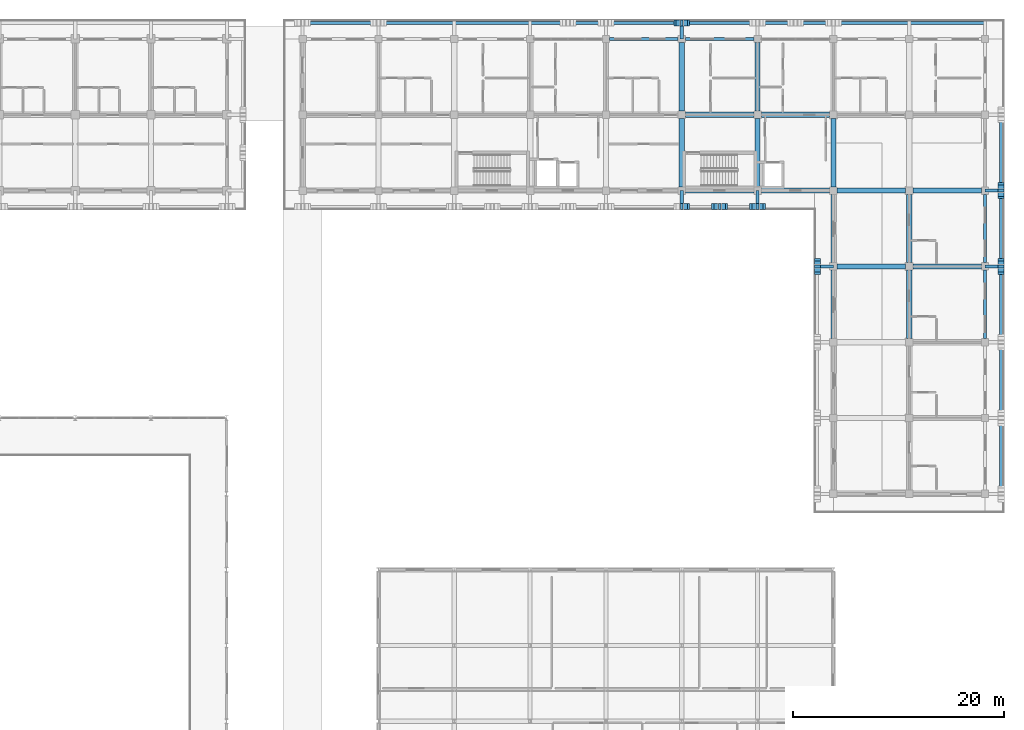
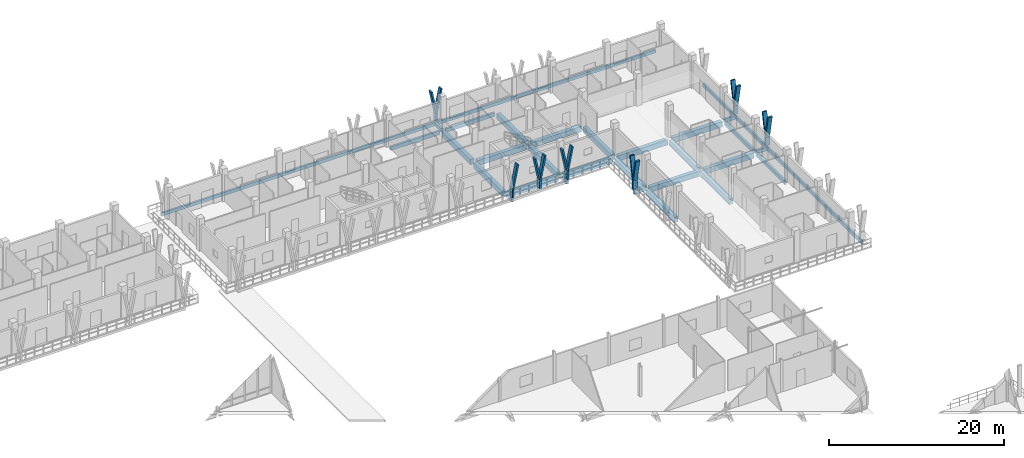
# One storey, part 53 of 110: 29 beams, 20 members.
"""IFC4 building model written with IfcOpenShell, lengths in metres."""

from ifc_helpers import new_model, si_unit, direction, frame, origin, origin_2d, place, context, subcontext, project, spatial, rectangle, extrude, material, material_profile, profile_set, type_object, element, save


model = new_model("IFC4")

# Units and contexts
model_context = context("Model", 3, precision=1e-05, world=origin(), true_north=direction((0.0, 1.0)))
body_context = subcontext(model_context, "Body", "Model", "MODEL_VIEW")
ifc_project = project(units=[si_unit("LENGTHUNIT", "METRE"), si_unit("AREAUNIT", "SQUARE_METRE"), si_unit("VOLUMEUNIT", "CUBIC_METRE"), si_unit("PLANEANGLEUNIT", "RADIAN"), si_unit("MASSUNIT", "GRAM", prefix="KILO")], contexts=[model_context])

# Site, building, storey
site_placement = place(None, origin())
site = spatial("IfcSite", under=ifc_project, at=site_placement, CompositionType="ELEMENT")
building_placement = place(site_placement, origin())
building = spatial("IfcBuilding", under=site, at=building_placement, Name="Suanplinth Sawtooth Commons", CompositionType="ELEMENT")
storey_placement = place(building_placement, frame((0.0, 0.0, 4.5)))
storey = spatial("IfcBuildingStorey", under=building, at=storey_placement, Name="L01", CompositionType="ELEMENT", Elevation=4.5)

# Beams
ifc_material_1 = material(Name="Concrete C40/50", Category="concrete")
ifc_material_profile_1 = material_profile(ifc_material_1, rectangle(XDim=0.5, YDim=0.75, at=origin_2d()), Name="RC-GDR 500x750")
ifc_profile_set_1 = profile_set([ifc_material_profile_1], Name="Concrete C40/50")
beam_type_1 = type_object("IfcBeamType", Name="B-03", PredefinedType="USERDEFINED", material=ifc_profile_set_1)
for number, where, z_axis, x_axis, name in (
    (1, (158.75, 108.0, -0.675048828125), (1.0, 0.0, 0.0), (0.0, 1.0, 0.0), "BMX-L01-B-22-15"),
    (2, (158.75, 115.199951171875, -0.675048828125), (1.0, 0.0, 0.0), (0.0, 1.0, 0.0), "BMX-L01-B-22-16"),
    (3, (165.949951171875, 108.0, -0.675048828125), (1.0, 0.0, 0.0), (0.0, 1.0, 0.0), "BMX-L01-B-23-15"),
    (4, (165.949951171875, 115.199951171875, -0.675048828125), (1.0, 0.0, 0.0), (0.0, 1.0, 0.0), "BMX-L01-B-23-16"),
    (5, (173.14990234375, 100.800048828125, -0.675048828125), (1.0, 0.0, 0.0), (0.0, 1.0, 0.0), "BMX-L01-B-24-14"),
    (6, (173.14990234375, 108.0, -0.675048828125), (1.0, 0.0, 0.0), (0.0, 1.0, 0.0), "BMX-L01-B-24-15"),
    (7, (180.35009765625, 100.800048828125, -0.675048828125), (1.0, 0.0, 0.0), (0.0, 1.0, 0.0), "BMX-L01-B-25-14"),
    (8, (180.35009765625, 108.0, -0.675048828125), (1.0, 0.0, 0.0), (0.0, 1.0, 0.0), "BMX-L01-B-25-15"),
    (9, (158.39990234375, 108.35009765625, -0.675048828125), (0.0, 1.0, 0.0), (-1.0, 0.0, 0.0), "BMY-L01-B-22-15"),
    (10, (158.39990234375, 115.550048828125, -0.675048828125), (0.0, 1.0, 0.0), (-1.0, 0.0, 0.0), "BMY-L01-B-22-16"),
    (11, (165.60009765625, 108.35009765625, -0.675048828125), (0.0, 1.0, 0.0), (-1.0, 0.0, 0.0), "BMY-L01-B-23-15"),
    (12, (165.60009765625, 115.550048828125, -0.675048828125), (0.0, 1.0, 0.0), (-1.0, 0.0, 0.0), "BMY-L01-B-23-16"),
    (13, (172.800048828125, 93.949951171875, -0.675048828125), (0.0, 1.0, 0.0), (-1.0, 0.0, 0.0), "BMY-L01-B-24-13"),
    (14, (172.800048828125, 101.14990234375, -0.675048828125), (0.0, 1.0, 0.0), (-1.0, 0.0, 0.0), "BMY-L01-B-24-14"),
    (15, (172.800048828125, 108.35009765625, -0.675048828125), (0.0, 1.0, 0.0), (-1.0, 0.0, 0.0), "BMY-L01-B-24-15"),
    (16, (180.0, 93.949951171875, -0.675048828125), (0.0, 1.0, 0.0), (-1.0, 0.0, 0.0), "BMY-L01-B-25-13"),
    (17, (180.0, 101.14990234375, -0.675048828125), (0.0, 1.0, 0.0), (-1.0, 0.0, 0.0), "BMY-L01-B-25-14"),
):
    element("IfcBeam", number, at=place(storey_placement, frame(where, z_axis=z_axis, x_axis=x_axis)), inside=storey, type_object=beam_type_1, Name=name, ObjectType="GIRDER", PredefinedType="USERDEFINED", context=body_context, shape_type="SweptSolid", body=[
        extrude(rectangle(XDim=0.5, YDim=0.75, at=origin_2d()), origin(), (0.0, 0.0, 1.0), 6.5),
    ])
ifc_material_2 = material(Name="Precast concrete C40/50", Category="concrete")
ifc_material_profile_2 = material_profile(ifc_material_2, rectangle(XDim=0.300048828125, YDim=0.5, at=origin_2d()), Name="PC-BM 300x500")
ifc_profile_set_2 = profile_set([ifc_material_profile_2], Name="Precast concrete C40/50")
beam_type_2 = type_object("IfcBeamType", Name="B-07", PredefinedType="BEAM", material=ifc_profile_set_2)
for number, where, z_axis, x_axis, name in (
    (18, (158.39990234375, 122.39990234375, -0.429931640625), (0.0, 1.0, 0.0), (-1.0, 0.0, 0.0), "Balcony Outrigger L01-B-N-22"),
    (19, (187.199951171875, 100.800048828125, -0.429931640625), (1.0, 0.0, 0.0), (0.0, 1.0, 0.0), "Balcony Outrigger L01-B-E-14"),
    (20, (187.199951171875, 108.0, -0.429931640625), (1.0, 0.0, 0.0), (0.0, 1.0, 0.0), "Balcony Outrigger L01-B-E-15"),
):
    element("IfcBeam", number, at=place(storey_placement, frame(where, z_axis=z_axis, x_axis=x_axis)), inside=storey, type_object=beam_type_2, Name=name, PredefinedType="BEAM", context=body_context, shape_type="SweptSolid", body=[
        extrude(rectangle(XDim=0.300048828125, YDim=0.5, at=origin_2d()), origin(), (0.0, 0.0, 1.0), 1.64013671875),
    ])
for number, where, z_axis, x_axis, name in (
    (21, (158.39990234375, 108.0, -0.425048828125), (0.0, -1.0, 0.0), (1.0, 0.0, 0.0), "Balcony Outrigger L01-B-SC-22"),
    (22, (165.60009765625, 108.0, -0.425048828125), (0.0, -1.0, 0.0), (1.0, 0.0, 0.0), "Balcony Outrigger L01-B-SC-23"),
):
    element("IfcBeam", number, at=place(storey_placement, frame(where, z_axis=z_axis, x_axis=x_axis)), inside=storey, type_object=beam_type_2, Name=name, PredefinedType="BEAM", context=body_context, shape_type="SweptSolid", body=[
        extrude(rectangle(XDim=0.300048828125, YDim=0.5, at=origin_2d()), origin(), (0.0, 0.0, 1.0), 1.639892578125),
    ])
beam_1_placement = place(storey_placement, frame((172.800048828125, 100.800048828125, -0.425048828125), z_axis=(-1.0, 0.0, 0.0), x_axis=(0.0, -1.0, 0.0)))
element("IfcBeam", 23, at=beam_1_placement, inside=storey, type_object=beam_type_2, Name="Balcony Outrigger L01-B-WC-14", PredefinedType="BEAM", context=body_context, shape_type="SweptSolid", body=[
    extrude(rectangle(XDim=0.300048828125, YDim=0.5, at=origin_2d()), origin(), (0.0, 0.0, 1.0), 1.64013671875),
])
ifc_material_profile_3 = material_profile(ifc_material_2, rectangle(XDim=0.280029296875, YDim=0.52001953125, at=origin_2d()), Name="PC-SP 280x520")
ifc_profile_set_3 = profile_set([ifc_material_profile_3], Name="Precast concrete C40/50")
beam_type_3 = type_object("IfcBeamType", Name="B-08", PredefinedType="SPANDREL", material=ifc_profile_set_3)
for number, where, z_axis, x_axis, name in (
    (24, (151.550048828125, 122.39990234375, -0.56005859375), (1.0, 0.0, 0.0), (0.0, 1.0, 0.0), "BMX-L01-B-21-17"),
    (25, (158.75, 122.39990234375, -0.56005859375), (1.0, 0.0, 0.0), (0.0, 1.0, 0.0), "BMX-L01-B-22-17"),
    (26, (187.199951171875, 93.949951171875, -0.56005859375), (0.0, 1.0, 0.0), (-1.0, 0.0, 0.0), "BMY-L01-B-26-13"),
    (27, (187.199951171875, 101.14990234375, -0.56005859375), (0.0, 1.0, 0.0), (-1.0, 0.0, 0.0), "BMY-L01-B-26-14"),
):
    element("IfcBeam", number, at=place(storey_placement, frame(where, z_axis=z_axis, x_axis=x_axis)), inside=storey, type_object=beam_type_3, Name=name, PredefinedType="SPANDREL", context=body_context, shape_type="SweptSolid", body=[
        extrude(rectangle(XDim=0.280029296875, YDim=0.52001953125, at=origin_2d()), origin(), (0.0, 0.0, 1.0), 6.5),
    ])
ifc_material_profile_4 = material_profile(ifc_material_2, rectangle(XDim=0.25, YDim=0.449951171875, at=origin_2d()), Name="PC-SP 250x450")
ifc_profile_set_4 = profile_set([ifc_material_profile_4], Name="Precast concrete C40/50")
beam_type_4 = type_object("IfcBeamType", Name="B-09", PredefinedType="SPANDREL", material=ifc_profile_set_4)
beam_2_placement = place(storey_placement, frame((122.25, 123.919921875, -0.405029296875), z_axis=(1.0, 0.0, 0.0), x_axis=(0.0, 1.0, 0.0)))
element("IfcBeam", 28, at=beam_2_placement, inside=storey, type_object=beam_type_4, Name="Balcony Edge Fascia L01-B-N", PredefinedType="SPANDREL", context=body_context, shape_type="SweptSolid", body=[
    extrude(rectangle(XDim=0.25, YDim=0.449951171875, at=origin_2d()), origin(), (0.0, 0.0, 1.0), 65.10009765625),
])
beam_3_placement = place(storey_placement, frame((188.719970703125, 79.050048828125, -0.405029296875), z_axis=(0.0, 1.0, 0.0), x_axis=(-1.0, 0.0, 0.0)))
element("IfcBeam", 29, at=beam_3_placement, inside=storey, type_object=beam_type_4, Name="Balcony Edge Fascia L01-B-E", PredefinedType="SPANDREL", context=body_context, shape_type="SweptSolid", body=[
    extrude(rectangle(XDim=0.25, YDim=0.449951171875, at=origin_2d()), origin(), (0.0, 0.0, 1.0), 36.300048828125),
])

# Members
ifc_material_3 = material(Name="Pigmented precast concrete C40/50", Category="concrete")
ifc_material_profile_5 = material_profile(ifc_material_3, rectangle(XDim=0.260009765625, YDim=0.550048828125, at=origin_2d()), Name="PC-FIN 260x550")
ifc_profile_set_5 = profile_set([ifc_material_profile_5], Name="Pigmented precast concrete C40/50")
member_type_1 = type_object("IfcMemberType", Name="M-09", PredefinedType="USERDEFINED", material=ifc_profile_set_5)
for number, where, z_axis, x_axis, name in (
    (30, (158.39990234375, 123.919921875, 0.0), (0.0, 0.0, 1.0), (1.0, 0.0, 0.0), "Y-Blade Stem L01-B-N-05"),
    (31, (188.719970703125, 100.800048828125, 0.0), (0.0, 0.0, 1.0), (0.0, 1.0, 0.0), "Y-Blade Stem L01-B-E-12"),
    (32, (188.719970703125, 108.0, 0.0), (0.0, 0.0, 1.0), (0.0, 1.0, 0.0), "Y-Blade Stem L01-B-E-13"),
    (33, (158.39990234375, 106.47998046875, 0.0), (0.0, 0.0, 1.0), (1.0, 0.0, 0.0), "Y-Blade Stem L01-B-SC-22"),
    (34, (162.0, 106.47998046875, 0.0), (0.0, 0.0, 1.0), (1.0, 0.0, 0.0), "Y-Blade Stem L01-B-SC-23"),
    (35, (165.60009765625, 106.47998046875, 0.0), (0.0, 0.0, 1.0), (1.0, 0.0, 0.0), "Y-Blade Stem L01-B-SC-24"),
    (36, (171.280029296875, 100.800048828125, 0.0), (0.0, 0.0, 1.0), (0.0, 1.0, 0.0), "Y-Blade Stem L01-B-WC-28"),
):
    element("IfcMember", number, at=place(storey_placement, frame(where, z_axis=z_axis, x_axis=x_axis)), inside=storey, type_object=member_type_1, Name=name, ObjectType="SHADING FIN", PredefinedType="USERDEFINED", context=body_context, shape_type="SweptSolid", body=[
        extrude(rectangle(XDim=0.260009765625, YDim=0.550048828125, at=origin_2d()), origin(), (0.0, 0.0, 1.0), 1.169921875),
    ])
ifc_material_profile_6 = material_profile(ifc_material_3, rectangle(XDim=0.219970703125, YDim=0.550048828125, at=origin_2d()), Name="PC-FIN 220x550")
ifc_profile_set_6 = profile_set([ifc_material_profile_6], Name="Pigmented precast concrete C40/50")
member_type_2 = type_object("IfcMemberType", Name="M-10", PredefinedType="USERDEFINED", material=ifc_profile_set_6)
member_1_placement = place(storey_placement, frame((158.39990234375, 123.919921875, 1.1298828125), z_axis=(-0.197510991436, 0.0, 0.980300672377), x_axis=(0.980300672377, 0.0, 0.197510991436)))
element("IfcMember", 37, at=member_1_placement, inside=storey, type_object=member_type_2, Name="Y-Blade Arm L L01-B-N-05", ObjectType="SHADING FIN", PredefinedType="USERDEFINED", context=body_context, shape_type="SweptSolid", body=[
    extrude(rectangle(XDim=0.219970703125, YDim=0.550048828125, at=origin_2d()), origin(), (0.0, 0.0, 1.0), 3.264404296875),
])
for number, where, z_axis, x_axis, name in (
    (38, (158.39990234375, 123.919921875, 1.1298828125), (0.197582858822, 0.0, 0.980286189793), (-0.980286189793, 0.0, 0.197582858822), "Y-Blade Arm R L01-B-N-05"),
    (39, (188.719970703125, 100.800048828125, 1.1298828125), (0.0, -0.197582858822, 0.980286189793), (0.0, 0.980286189793, 0.197582858822), "Y-Blade Arm L L01-B-E-12"),
):
    element("IfcMember", number, at=place(storey_placement, frame(where, z_axis=z_axis, x_axis=x_axis)), inside=storey, type_object=member_type_2, Name=name, ObjectType="SHADING FIN", PredefinedType="USERDEFINED", context=body_context, shape_type="SweptSolid", body=[
        extrude(rectangle(XDim=0.219970703125, YDim=0.550048828125, at=origin_2d()), origin(), (0.0, 0.0, 1.0), 3.2646484375),
    ])
member_2_placement = place(storey_placement, frame((188.719970703125, 100.800048828125, 1.1298828125), z_axis=(0.0, 0.197510991436, 0.980300672377), x_axis=(0.0, -0.980300672377, 0.197510991436)))
element("IfcMember", 40, at=member_2_placement, inside=storey, type_object=member_type_2, Name="Y-Blade Arm R L01-B-E-12", ObjectType="SHADING FIN", PredefinedType="USERDEFINED", context=body_context, shape_type="SweptSolid", body=[
    extrude(rectangle(XDim=0.219970703125, YDim=0.550048828125, at=origin_2d()), origin(), (0.0, 0.0, 1.0), 3.264404296875),
])
for number, where, z_axis, x_axis, name in (
    (41, (188.719970703125, 108.0, 1.1298828125), (0.0, -0.197582858822, 0.980286189793), (0.0, 0.980286189793, 0.197582858822), "Y-Blade Arm L L01-B-E-13"),
    (42, (188.719970703125, 108.0, 1.1298828125), (0.0, 0.197582858822, 0.980286189793), (0.0, -0.980286189793, 0.197582858822), "Y-Blade Arm R L01-B-E-13"),
    (43, (158.39990234375, 106.47998046875, 1.1298828125), (0.197582858822, 0.0, 0.980286189793), (-0.980286189793, 0.0, 0.197582858822), "Y-Blade Arm R L01-B-SC-22"),
    (44, (162.0, 106.47998046875, 1.1298828125), (-0.197582858822, 0.0, 0.980286189793), (0.980286189793, 0.0, 0.197582858822), "Y-Blade Arm L L01-B-SC-23"),
    (45, (162.0, 106.47998046875, 1.1298828125), (0.197582858822, 0.0, 0.980286189793), (-0.980286189793, 0.0, 0.197582858822), "Y-Blade Arm R L01-B-SC-23"),
    (46, (165.60009765625, 106.47998046875, 1.1298828125), (-0.197582858822, 0.0, 0.980286189793), (0.980286189793, 0.0, 0.197582858822), "Y-Blade Arm L L01-B-SC-24"),
):
    element("IfcMember", number, at=place(storey_placement, frame(where, z_axis=z_axis, x_axis=x_axis)), inside=storey, type_object=member_type_2, Name=name, ObjectType="SHADING FIN", PredefinedType="USERDEFINED", context=body_context, shape_type="SweptSolid", body=[
        extrude(rectangle(XDim=0.219970703125, YDim=0.550048828125, at=origin_2d()), origin(), (0.0, 0.0, 1.0), 3.2646484375),
    ])
member_3_placement = place(storey_placement, frame((165.60009765625, 106.47998046875, 1.1298828125), z_axis=(0.197510991436, 0.0, 0.980300672377), x_axis=(-0.980300672377, 0.0, 0.197510991436)))
element("IfcMember", 47, at=member_3_placement, inside=storey, type_object=member_type_2, Name="Y-Blade Arm R L01-B-SC-24", ObjectType="SHADING FIN", PredefinedType="USERDEFINED", context=body_context, shape_type="SweptSolid", body=[
    extrude(rectangle(XDim=0.219970703125, YDim=0.550048828125, at=origin_2d()), origin(), (0.0, 0.0, 1.0), 3.264404296875),
])
member_4_placement = place(storey_placement, frame((171.280029296875, 100.800048828125, 1.1298828125), z_axis=(0.0, -0.197582858822, 0.980286189793), x_axis=(0.0, 0.980286189793, 0.197582858822)))
element("IfcMember", 48, at=member_4_placement, inside=storey, type_object=member_type_2, Name="Y-Blade Arm L L01-B-WC-28", ObjectType="SHADING FIN", PredefinedType="USERDEFINED", context=body_context, shape_type="SweptSolid", body=[
    extrude(rectangle(XDim=0.219970703125, YDim=0.550048828125, at=origin_2d()), origin(), (0.0, 0.0, 1.0), 3.2646484375),
])
member_5_placement = place(storey_placement, frame((171.280029296875, 100.800048828125, 1.1298828125), z_axis=(0.0, 0.197510991436, 0.980300672377), x_axis=(0.0, -0.980300672377, 0.197510991436)))
element("IfcMember", 49, at=member_5_placement, inside=storey, type_object=member_type_2, Name="Y-Blade Arm R L01-B-WC-28", ObjectType="SHADING FIN", PredefinedType="USERDEFINED", context=body_context, shape_type="SweptSolid", body=[
    extrude(rectangle(XDim=0.219970703125, YDim=0.550048828125, at=origin_2d()), origin(), (0.0, 0.0, 1.0), 3.264404296875),
])

save(model, "model.ifc")
